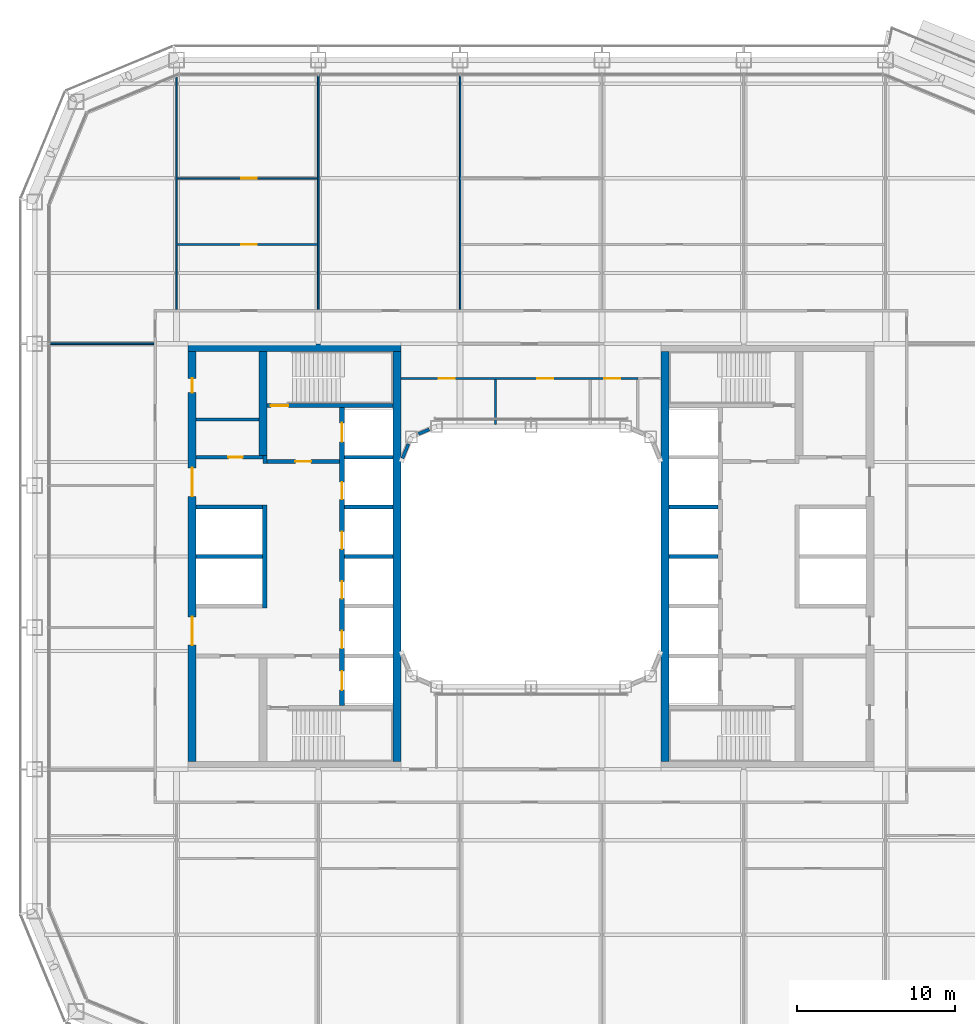
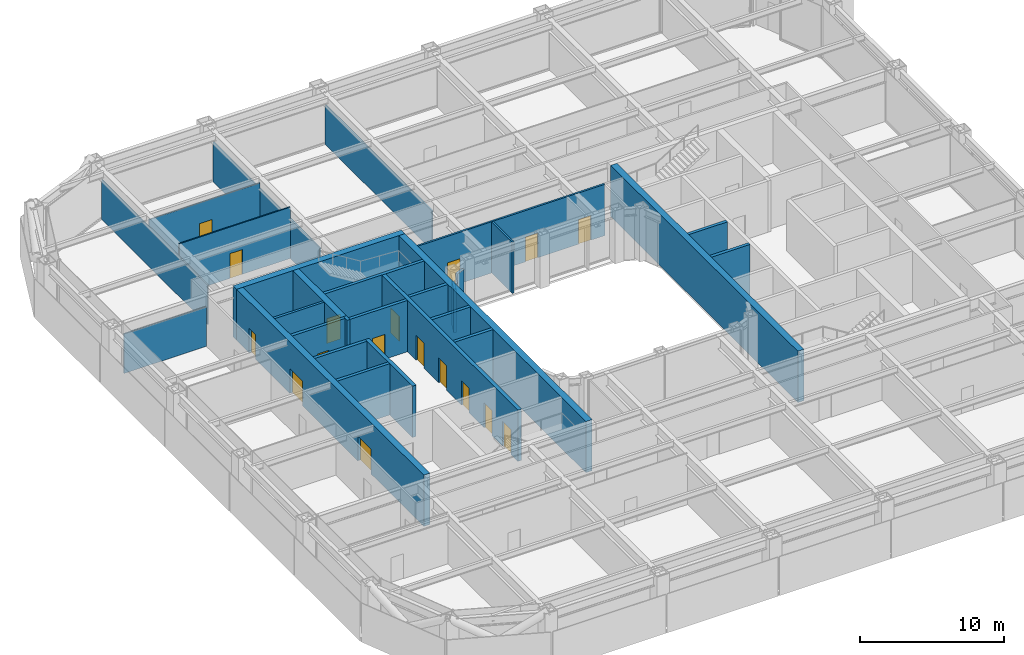
# One storey, part 14 of 30: 29 walls, 17 doors, 17 openings.
"""IFC4 building model written with IfcOpenShell, lengths in metres."""

from ifc_helpers import new_model, si_unit, direction, frame, frame_2d, origin, place, context, subcontext, project, spatial, rectangle, extrude, material, layer, layer_set, type_object, element, fill, save


model = new_model("IFC4")

# Units and contexts
model_context = context("Model", 3, precision=1e-05, world=origin(), true_north=direction((0.0, 1.0)))
body_context = subcontext(model_context, "Body", "Model", "MODEL_VIEW")
ifc_project = project(units=[si_unit("LENGTHUNIT", "METRE"), si_unit("AREAUNIT", "SQUARE_METRE"), si_unit("VOLUMEUNIT", "CUBIC_METRE"), si_unit("PLANEANGLEUNIT", "RADIAN"), si_unit("MASSUNIT", "GRAM", prefix="KILO")], contexts=[model_context])

# Site, building, storey
site_placement = place(None, origin())
site = spatial("IfcSite", under=ifc_project, at=site_placement, CompositionType="ELEMENT")
building_placement = place(site_placement, origin())
building = spatial("IfcBuilding", under=site, at=building_placement, Name="Siwar Civic Tower", CompositionType="ELEMENT")
storey_placement = place(building_placement, frame((0.0, 0.0, 62.699951171875)))
storey = spatial("IfcBuildingStorey", under=building, at=storey_placement, Name="L13", CompositionType="ELEMENT", Elevation=62.699951171875)

# Wall
ifc_material_1 = material(Name="Gypsum board on steel studs", Category="steel")
ifc_layer_1 = layer(ifc_material_1, 0.199951171875)
ifc_layer_set_1 = layer_set([ifc_layer_1], Name="Gypsum board on steel studs")
wall_type_1 = type_object("IfcWallType", Name="CORE-PARTITION-200", PredefinedType="PARTITIONING", material=ifc_layer_set_1)
wall_1_placement = place(storey_placement, frame((-17.25, 8.699951171875, 0.0), z_axis=(0.0, 0.0, 1.0), x_axis=(-1.0, 0.0, 0.0)))
element("IfcWall", 1, at=wall_1_placement, inside=storey, type_object=wall_type_1, Name="Core partition W", PredefinedType="PARTITIONING", context=body_context, shape_type="SweptSolid", body=[
    extrude(rectangle(XDim=4.0, YDim=0.199951171875, at=frame_2d((2.0, 0.0))), origin(), (0.0, 0.0, 1.0), 4.35009765625),
])

# Wall, opening, door
ifc_material_2 = material(Name="Concrete C60/75", Category="concrete")
ifc_layer_2 = layer(ifc_material_2, 0.25)
ifc_layer_set_2 = layer_set([ifc_layer_2], Name="Concrete C60/75")
wall_type_2 = type_object("IfcWallType", Name="CORE-WALL-RC250", PredefinedType="SHEAR", material=ifc_layer_set_2)
wall_2_placement = place(storey_placement, frame((-12.14990234375, 6.02490234375, 0.0), z_axis=(0.0, 0.0, 1.0), x_axis=(-1.0, 0.0, 0.0)))
wall_2 = element("IfcWall", 2, at=wall_2_placement, inside=storey, type_object=wall_type_2, Name="Core wall W", PredefinedType="SHEAR", context=body_context, shape_type="SweptSolid", body=[
    extrude(rectangle(XDim=4.60009765625, YDim=0.25, at=frame_2d((2.300048828125, 0.0))), origin(), (0.0, 0.0, 1.0), 4.35009765625),
])
opening_1_placement = place(wall_2_placement, frame((1.800048828125, 0.0, 0.0)))
opening_1 = element("IfcOpeningElement", 3, at=opening_1_placement, cuts=wall_2, Name="Opening L13-CW01", PredefinedType="OPENING", context=body_context, shape_type="SweptSolid", body=[
    extrude(rectangle(XDim=1.0, YDim=2.10009765625, at=frame_2d((0.5, 1.050048828125))), frame((0.0, 0.135009765625, 0.0), z_axis=(0.0, -1.0, 0.0), x_axis=(1.0, 0.0, 0.0)), (0.0, 0.0, 1.0), 0.27001953125),
])
ifc_material_3 = material(Name="Steel door leaf", Category="steel")
door_type_1 = type_object("IfcDoorType", Name="CORE-DOOR-FD30S", OperationType="SINGLE_SWING_LEFT", PredefinedType="DOOR", material=ifc_material_3)
door_1_placement = place(opening_1_placement, origin())
door_1 = element("IfcDoor", 4, at=door_1_placement, inside=storey, type_object=door_type_1, Name="Firefighting lobby door L13-CW01", OperationType="SINGLE_SWING_LEFT", OverallHeight=2.10009765625, OverallWidth=1.0, PredefinedType="DOOR", context=body_context, shape_type="SweptSolid", body=[
    extrude(rectangle(XDim=1.0, YDim=2.10009765625, at=frame_2d((0.5, 1.050048828125))), frame((0.0, 0.02490234375, 0.0), z_axis=(0.0, -1.0, 0.0), x_axis=(1.0, 0.0, 0.0)), (0.0, 0.0, 1.0), 0.050048828125),
])
fill(opening_1, door_1)

# Wall
wall_3_placement = place(storey_placement, frame((-16.875, 5.89990234375, 0.0), z_axis=(0.0, 0.0, 1.0), x_axis=(0.0, 1.0, 0.0)))
element("IfcWall", 5, at=wall_3_placement, inside=storey, type_object=wall_type_2, Name="Core wall W", PredefinedType="SHEAR", context=body_context, shape_type="SweptSolid", body=[
    extrude(rectangle(XDim=0.525146484375, YDim=0.25, at=frame_2d((0.2626953125, 0.0))), origin(), (0.0, 0.0, 1.0), 4.35009765625),
])

# Wall, opening, door
wall_4_placement = place(storey_placement, frame((-17.0, 6.300048828125, 0.0), z_axis=(0.0, 0.0, 1.0), x_axis=(-1.0, 0.0, 0.0)))
wall_4 = element("IfcWall", 6, at=wall_4_placement, inside=storey, type_object=wall_type_2, Name="Core wall W", PredefinedType="SHEAR", context=body_context, shape_type="SweptSolid", body=[
    extrude(rectangle(XDim=4.25, YDim=0.25, at=frame_2d((2.125, 0.0))), origin(), (0.0, 0.0, 1.0), 4.35009765625),
])
opening_2_placement = place(wall_4_placement, frame((1.300048828125, 0.0, 0.0)))
opening_2 = element("IfcOpeningElement", 7, at=opening_2_placement, cuts=wall_4, Name="Opening L13-CW13", PredefinedType="OPENING", context=body_context, shape_type="SweptSolid", body=[
    extrude(rectangle(XDim=0.89990234375, YDim=2.10009765625, at=frame_2d((0.449951171875, 1.050048828125))), frame((0.0, 0.135009765625, 0.0), z_axis=(0.0, -1.0, 0.0), x_axis=(1.0, 0.0, 0.0)), (0.0, 0.0, 1.0), 0.27001953125),
])
ifc_material_4 = material(Name="Steel door leaf", Category="steel")
door_type_2 = type_object("IfcDoorType", Name="CORE-DOOR-ROOM", OperationType="SINGLE_SWING_LEFT", PredefinedType="DOOR", material=ifc_material_4)
door_2_placement = place(opening_2_placement, origin())
door_2 = element("IfcDoor", 8, at=door_2_placement, inside=storey, type_object=door_type_2, Name="Core room door L13-CW13", OperationType="SINGLE_SWING_LEFT", OverallHeight=2.10009765625, OverallWidth=0.89990234375, PredefinedType="DOOR", context=body_context, shape_type="SweptSolid", body=[
    extrude(rectangle(XDim=0.89990234375, YDim=2.10009765625, at=frame_2d((0.449951171875, 1.050048828125))), frame((0.0, 0.02490234375, 0.0), z_axis=(0.0, -1.0, 0.0), x_axis=(1.0, 0.0, 0.0)), (0.0, 0.0, 1.0), 0.050048828125),
])
fill(opening_2, door_2)

# Walls
for number, where, z_axis, x_axis, name in (
    (9, (-17.050048828125, 0.0, 0.0), (0.0, 0.0, 1.0), (-1.0, 0.0, 0.0), "Core wall W"),
    (10, (-17.050048828125, 3.14990234375, 0.0), (0.0, 0.0, 1.0), (-1.0, 0.0, 0.0), "Core wall W"),
):
    element("IfcWall", number, at=place(storey_placement, frame(where, z_axis=z_axis, x_axis=x_axis)), inside=storey, type_object=wall_type_2, Name=name, PredefinedType="SHEAR", context=body_context, shape_type="SweptSolid", body=[
        extrude(rectangle(XDim=4.199951171875, YDim=0.25, at=frame_2d((2.10009765625, 0.0))), origin(), (0.0, 0.0, 1.0), 4.35009765625),
    ])
for number, where, z_axis, x_axis, name in (
    (11, (-8.75, 0.0, 0.0), (0.0, 0.0, 1.0), (-1.0, 0.0, 0.0), "Core wall W"),
    (12, (-8.75, 3.14990234375, 0.0), (0.0, 0.0, 1.0), (-1.0, 0.0, 0.0), "Core wall W"),
    (13, (-8.75, 6.300048828125, 0.0), (0.0, 0.0, 1.0), (-1.0, 0.0, 0.0), "Core wall W"),
):
    element("IfcWall", number, at=place(storey_placement, frame(where, z_axis=z_axis, x_axis=x_axis)), inside=storey, type_object=wall_type_2, Name=name, PredefinedType="SHEAR", context=body_context, shape_type="SweptSolid", body=[
        extrude(rectangle(XDim=3.10009765625, YDim=0.25, at=frame_2d((1.550048828125, 0.0))), origin(), (0.0, 0.0, 1.0), 4.35009765625),
    ])

# Wall, opening, door
wall_5_placement = place(storey_placement, frame((-8.75, 9.574951171875, 0.0), z_axis=(0.0, 0.0, 1.0), x_axis=(-1.0, 0.0, 0.0)))
wall_5 = element("IfcWall", 14, at=wall_5_placement, inside=storey, type_object=wall_type_2, Name="Core wall W", PredefinedType="SHEAR", context=body_context, shape_type="SweptSolid", body=[
    extrude(rectangle(XDim=8.0, YDim=0.25, at=frame_2d((4.0, 0.0))), origin(), (0.0, 0.0, 1.0), 4.35009765625),
])
opening_3_placement = place(wall_5_placement, frame((6.64990234375, 0.0, 0.0)))
opening_3 = element("IfcOpeningElement", 15, at=opening_3_placement, cuts=wall_5, Name="Opening L13-CW03", PredefinedType="OPENING", context=body_context, shape_type="SweptSolid", body=[
    extrude(rectangle(XDim=1.10009765625, YDim=2.10009765625, at=frame_2d((0.550048828125, 1.050048828125))), frame((0.0, 0.135009765625, 0.0), z_axis=(0.0, -1.0, 0.0), x_axis=(1.0, 0.0, 0.0)), (0.0, 0.0, 1.0), 0.27001953125),
])
ifc_material_5 = material(Name="Steel door leaf", Category="steel")
door_type_3 = type_object("IfcDoorType", Name="CORE-DOOR-FD60S", OperationType="SINGLE_SWING_LEFT", PredefinedType="DOOR", material=ifc_material_5)
door_3_placement = place(opening_3_placement, origin())
door_3 = element("IfcDoor", 16, at=door_3_placement, inside=storey, type_object=door_type_3, Name="Stair door L13-CW03", OperationType="SINGLE_SWING_RIGHT", OverallHeight=2.10009765625, OverallWidth=1.10009765625, PredefinedType="DOOR", context=body_context, shape_type="SweptSolid", body=[
    extrude(rectangle(XDim=1.10009765625, YDim=2.10009765625, at=frame_2d((0.550048828125, 1.050048828125))), frame((0.0, 0.02490234375, 0.0), z_axis=(0.0, -1.0, 0.0), x_axis=(1.0, 0.0, 0.0)), (0.0, 0.0, 1.0), 0.050048828125),
])
fill(opening_3, door_3)

# Walls
for number, where, z_axis, x_axis, name in (
    (17, (8.75, 0.0, 0.0), (0.0, 0.0, 1.0), (1.0, 0.0, 0.0), "Core wall E"),
    (18, (8.75, 3.14990234375, 0.0), (0.0, 0.0, 1.0), (1.0, 0.0, 0.0), "Core wall E"),
):
    element("IfcWall", number, at=place(storey_placement, frame(where, z_axis=z_axis, x_axis=x_axis)), inside=storey, type_object=wall_type_2, Name=name, PredefinedType="SHEAR", context=body_context, shape_type="SweptSolid", body=[
        extrude(rectangle(XDim=3.10009765625, YDim=0.25, at=frame_2d((1.550048828125, 0.0))), origin(), (0.0, 0.0, 1.0), 4.35009765625),
    ])

# Wall, openings, doors
ifc_material_6 = material(Name="Concrete C60/75", Category="concrete")
ifc_layer_3 = layer(ifc_material_6, 0.300048828125)
ifc_layer_set_3 = layer_set([ifc_layer_3], Name="Concrete C60/75")
wall_type_3 = type_object("IfcWallType", Name="CORE-WALL-RC300", PredefinedType="SHEAR", material=ifc_layer_set_3)
wall_6_placement = place(storey_placement, frame((-12.0, -9.449951171875, 0.0), z_axis=(0.0, 0.0, 1.0), x_axis=(0.0, 1.0, 0.0)))
wall_6 = element("IfcWall", 19, at=wall_6_placement, inside=storey, type_object=wall_type_3, Name="Core wall W", PredefinedType="SHEAR", context=body_context, shape_type="SweptSolid", body=[
    extrude(rectangle(XDim=18.89990234375, YDim=0.300048828125, at=frame_2d((9.449951171875, 0.0))), origin(), (0.0, 0.0, 1.0), 4.35009765625),
])
opening_4_placement = place(wall_6_placement, frame((3.625, 0.0, 0.0)))
opening_4 = element("IfcOpeningElement", 20, at=opening_4_placement, cuts=wall_6, Name="Opening L13-CW07", PredefinedType="OPENING", context=body_context, shape_type="SweptSolid", body=[
    extrude(rectangle(XDim=1.10009765625, YDim=2.10009765625, at=frame_2d((0.550048828125, 1.050048828125))), frame((0.0, 0.16015625, 0.0), z_axis=(0.0, -1.0, 0.0), x_axis=(1.0, 0.0, 0.0)), (0.0, 0.0, 1.0), 0.320068359375),
])
opening_5_placement = place(wall_6_placement, frame((6.77490234375, 0.0, 0.0)))
opening_5 = element("IfcOpeningElement", 21, at=opening_5_placement, cuts=wall_6, Name="Opening L13-CW08", PredefinedType="OPENING", context=body_context, shape_type="SweptSolid", body=[
    extrude(rectangle(XDim=1.10009765625, YDim=2.10009765625, at=frame_2d((0.550048828125, 1.050048828125))), frame((0.0, 0.16015625, 0.0), z_axis=(0.0, -1.0, 0.0), x_axis=(1.0, 0.0, 0.0)), (0.0, 0.0, 1.0), 0.320068359375),
])
opening_6_placement = place(wall_6_placement, frame((9.925048828125, 0.0, 0.0)))
opening_6 = element("IfcOpeningElement", 22, at=opening_6_placement, cuts=wall_6, Name="Opening L13-CW09", PredefinedType="OPENING", context=body_context, shape_type="SweptSolid", body=[
    extrude(rectangle(XDim=1.10009765625, YDim=2.10009765625, at=frame_2d((0.550048828125, 1.050048828125))), frame((0.0, 0.16015625, 0.0), z_axis=(0.0, -1.0, 0.0), x_axis=(1.0, 0.0, 0.0)), (0.0, 0.0, 1.0), 0.320068359375),
])
opening_7_placement = place(wall_6_placement, frame((13.074951171875, 0.0, 0.0)))
opening_7 = element("IfcOpeningElement", 23, at=opening_7_placement, cuts=wall_6, Name="Opening L13-CW10", PredefinedType="OPENING", context=body_context, shape_type="SweptSolid", body=[
    extrude(rectangle(XDim=1.10009765625, YDim=2.10009765625, at=frame_2d((0.550048828125, 1.050048828125))), frame((0.0, 0.16015625, 0.0), z_axis=(0.0, -1.0, 0.0), x_axis=(1.0, 0.0, 0.0)), (0.0, 0.0, 1.0), 0.320068359375),
])
opening_8_placement = place(wall_6_placement, frame((16.72509765625, 0.0, 0.0)))
opening_8 = element("IfcOpeningElement", 24, at=opening_8_placement, cuts=wall_6, Name="Opening L13-CW11", PredefinedType="OPENING", context=body_context, shape_type="SweptSolid", body=[
    extrude(rectangle(XDim=1.199951171875, YDim=2.10009765625, at=frame_2d((0.60009765625, 1.050048828125))), frame((0.0, 0.16015625, 0.0), z_axis=(0.0, -1.0, 0.0), x_axis=(1.0, 0.0, 0.0)), (0.0, 0.0, 1.0), 0.320068359375),
])
opening_9_placement = place(wall_6_placement, frame((0.97509765625, 0.0, 0.0)))
opening_9 = element("IfcOpeningElement", 25, at=opening_9_placement, cuts=wall_6, Name="Opening L13-CW12", PredefinedType="OPENING", context=body_context, shape_type="SweptSolid", body=[
    extrude(rectangle(XDim=1.199951171875, YDim=2.10009765625, at=frame_2d((0.60009765625, 1.050048828125))), frame((0.0, 0.16015625, 0.0), z_axis=(0.0, -1.0, 0.0), x_axis=(1.0, 0.0, 0.0)), (0.0, 0.0, 1.0), 0.320068359375),
])
ifc_material_7 = material(Name="Steel door leaf", Category="steel")
door_type_4 = type_object("IfcDoorType", Name="CORE-DOOR-LD", OperationType="DOUBLE_DOOR_SLIDING", PredefinedType="DOOR", material=ifc_material_7)
door_4_placement = place(opening_4_placement, origin())
door_4 = element("IfcDoor", 26, at=door_4_placement, inside=storey, type_object=door_type_4, Name="Landing door LR1 L13-CW07", OperationType="DOUBLE_DOOR_SLIDING", OverallHeight=2.10009765625, OverallWidth=1.10009765625, PredefinedType="DOOR", context=body_context, shape_type="SweptSolid", body=[
    extrude(rectangle(XDim=1.10009765625, YDim=2.10009765625, at=frame_2d((0.550048828125, 1.050048828125))), frame((0.0, 0.02490234375, 0.0), z_axis=(0.0, -1.0, 0.0), x_axis=(1.0, 0.0, 0.0)), (0.0, 0.0, 1.0), 0.050048828125),
])
fill(opening_4, door_4)
door_5_placement = place(opening_5_placement, origin())
door_5 = element("IfcDoor", 27, at=door_5_placement, inside=storey, type_object=door_type_4, Name="Landing door LR2 L13-CW08", OperationType="DOUBLE_DOOR_SLIDING", OverallHeight=2.10009765625, OverallWidth=1.10009765625, PredefinedType="DOOR", context=body_context, shape_type="SweptSolid", body=[
    extrude(rectangle(XDim=1.10009765625, YDim=2.10009765625, at=frame_2d((0.550048828125, 1.050048828125))), frame((0.0, 0.02490234375, 0.0), z_axis=(0.0, -1.0, 0.0), x_axis=(1.0, 0.0, 0.0)), (0.0, 0.0, 1.0), 0.050048828125),
])
fill(opening_5, door_5)
door_6_placement = place(opening_6_placement, origin())
door_6 = element("IfcDoor", 28, at=door_6_placement, inside=storey, type_object=door_type_4, Name="Landing door LR3 L13-CW09", OperationType="DOUBLE_DOOR_SLIDING", OverallHeight=2.10009765625, OverallWidth=1.10009765625, PredefinedType="DOOR", context=body_context, shape_type="SweptSolid", body=[
    extrude(rectangle(XDim=1.10009765625, YDim=2.10009765625, at=frame_2d((0.550048828125, 1.050048828125))), frame((0.0, 0.02490234375, 0.0), z_axis=(0.0, -1.0, 0.0), x_axis=(1.0, 0.0, 0.0)), (0.0, 0.0, 1.0), 0.050048828125),
])
fill(opening_6, door_6)
door_7_placement = place(opening_7_placement, origin())
door_7 = element("IfcDoor", 29, at=door_7_placement, inside=storey, type_object=door_type_4, Name="Landing door LR4 L13-CW10", OperationType="DOUBLE_DOOR_SLIDING", OverallHeight=2.10009765625, OverallWidth=1.10009765625, PredefinedType="DOOR", context=body_context, shape_type="SweptSolid", body=[
    extrude(rectangle(XDim=1.10009765625, YDim=2.10009765625, at=frame_2d((0.550048828125, 1.050048828125))), frame((0.0, 0.02490234375, 0.0), z_axis=(0.0, -1.0, 0.0), x_axis=(1.0, 0.0, 0.0)), (0.0, 0.0, 1.0), 0.050048828125),
])
fill(opening_7, door_7)
ifc_material_8 = material(Name="Steel door leaf", Category="steel")
door_type_5 = type_object("IfcDoorType", Name="CORE-DOOR-LDW", OperationType="DOUBLE_DOOR_SLIDING", PredefinedType="DOOR", material=ifc_material_8)
door_8_placement = place(opening_8_placement, origin())
door_8 = element("IfcDoor", 30, at=door_8_placement, inside=storey, type_object=door_type_5, Name="Landing door FF1 L13-CW11", OperationType="DOUBLE_DOOR_SLIDING", OverallHeight=2.10009765625, OverallWidth=1.199951171875, PredefinedType="DOOR", context=body_context, shape_type="SweptSolid", body=[
    extrude(rectangle(XDim=1.199951171875, YDim=2.10009765625, at=frame_2d((0.60009765625, 1.050048828125))), frame((0.0, 0.02490234375, 0.0), z_axis=(0.0, -1.0, 0.0), x_axis=(1.0, 0.0, 0.0)), (0.0, 0.0, 1.0), 0.050048828125),
])
fill(opening_8, door_8)
door_9_placement = place(opening_9_placement, origin())
door_9 = element("IfcDoor", 31, at=door_9_placement, inside=storey, type_object=door_type_5, Name="Landing door SV1 L13-CW12", OperationType="DOUBLE_DOOR_SLIDING", OverallHeight=2.10009765625, OverallWidth=1.199951171875, PredefinedType="DOOR", context=body_context, shape_type="SweptSolid", body=[
    extrude(rectangle(XDim=1.199951171875, YDim=2.10009765625, at=frame_2d((0.60009765625, 1.050048828125))), frame((0.0, 0.02490234375, 0.0), z_axis=(0.0, -1.0, 0.0), x_axis=(1.0, 0.0, 0.0)), (0.0, 0.0, 1.0), 0.050048828125),
])
fill(opening_9, door_9)

# Wall
wall_7_placement = place(storey_placement, frame((-16.89990234375, -3.27490234375, 0.0), z_axis=(0.0, 0.0, 1.0), x_axis=(0.0, 1.0, 0.0)))
element("IfcWall", 32, at=wall_7_placement, inside=storey, type_object=wall_type_3, Name="Core wall W", PredefinedType="SHEAR", context=body_context, shape_type="SweptSolid", body=[
    extrude(rectangle(XDim=6.5498046875, YDim=0.300048828125, at=frame_2d((3.27490234375, 0.0))), origin(), (0.0, 0.0, 1.0), 4.35009765625),
])

# Wall, openings, doors
ifc_material_9 = material(Name="Concrete C60/75", Category="concrete")
ifc_layer_4 = layer(ifc_material_9, 0.5)
ifc_layer_set_4 = layer_set([ifc_layer_4], Name="Concrete C60/75")
wall_type_4 = type_object("IfcWallType", Name="CORE-WALL-RC500", PredefinedType="SHEAR", material=ifc_layer_set_4)
wall_8_placement = place(storey_placement, frame((-21.5, -13.0, 0.0), z_axis=(0.0, 0.0, 1.0), x_axis=(0.0, 1.0, 0.0)))
wall_8 = element("IfcWall", 33, at=wall_8_placement, inside=storey, type_object=wall_type_4, Name="Core wall W", PredefinedType="SHEAR", context=body_context, shape_type="SweptSolid", body=[
    extrude(rectangle(XDim=26.0, YDim=0.5, at=frame_2d((13.0, 0.0))), origin(), (0.0, 0.0, 1.0), 4.35009765625),
])
opening_10_placement = place(wall_8_placement, frame((16.824951171875, 0.0, 0.0)))
opening_10 = element("IfcOpeningElement", 34, at=opening_10_placement, cuts=wall_8, Name="Opening L13-CW05", PredefinedType="OPENING", context=body_context, shape_type="SweptSolid", body=[
    extrude(rectangle(XDim=1.800048828125, YDim=2.10009765625, at=frame_2d((0.89990234375, 1.050048828125))), frame((0.0, 0.260009765625, 0.0), z_axis=(0.0, -1.0, 0.0), x_axis=(1.0, 0.0, 0.0)), (0.0, 0.0, 1.0), 0.52001953125),
])
opening_11_placement = place(wall_8_placement, frame((7.375, 0.0, 0.0)))
opening_11 = element("IfcOpeningElement", 35, at=opening_11_placement, cuts=wall_8, Name="Opening L13-CW06", PredefinedType="OPENING", context=body_context, shape_type="SweptSolid", body=[
    extrude(rectangle(XDim=1.800048828125, YDim=2.10009765625, at=frame_2d((0.89990234375, 1.050048828125))), frame((0.0, 0.260009765625, 0.0), z_axis=(0.0, -1.0, 0.0), x_axis=(1.0, 0.0, 0.0)), (0.0, 0.0, 1.0), 0.52001953125),
])
opening_12_placement = place(wall_8_placement, frame((23.39990234375, 0.0, 0.0)))
opening_12 = element("IfcOpeningElement", 36, at=opening_12_placement, cuts=wall_8, Name="Opening L13-CW14", PredefinedType="OPENING", context=body_context, shape_type="SweptSolid", body=[
    extrude(rectangle(XDim=0.89990234375, YDim=2.10009765625, at=frame_2d((0.449951171875, 1.050048828125))), frame((0.0, 0.260009765625, 0.0), z_axis=(0.0, -1.0, 0.0), x_axis=(1.0, 0.0, 0.0)), (0.0, 0.0, 1.0), 0.52001953125),
])
ifc_material_10 = material(Name="Steel door leaf", Category="steel")
door_type_6 = type_object("IfcDoorType", Name="CORE-DOOR-PORT", OperationType="DOUBLE_DOOR_DOUBLE_SWING", PredefinedType="DOOR", material=ifc_material_10)
door_10_placement = place(opening_10_placement, origin())
door_10 = element("IfcDoor", 37, at=door_10_placement, inside=storey, type_object=door_type_6, Name="Core entrance door L13-CW05", OperationType="DOUBLE_DOOR_DOUBLE_SWING", OverallHeight=2.10009765625, OverallWidth=1.800048828125, PredefinedType="DOOR", context=body_context, shape_type="SweptSolid", body=[
    extrude(rectangle(XDim=1.800048828125, YDim=2.10009765625, at=frame_2d((0.89990234375, 1.050048828125))), frame((0.0, 0.02490234375, 0.0), z_axis=(0.0, -1.0, 0.0), x_axis=(1.0, 0.0, 0.0)), (0.0, 0.0, 1.0), 0.050048828125),
])
fill(opening_10, door_10)
door_11_placement = place(opening_11_placement, origin())
door_11 = element("IfcDoor", 38, at=door_11_placement, inside=storey, type_object=door_type_6, Name="Core entrance door L13-CW06", OperationType="DOUBLE_DOOR_DOUBLE_SWING", OverallHeight=2.10009765625, OverallWidth=1.800048828125, PredefinedType="DOOR", context=body_context, shape_type="SweptSolid", body=[
    extrude(rectangle(XDim=1.800048828125, YDim=2.10009765625, at=frame_2d((0.89990234375, 1.050048828125))), frame((0.0, 0.02490234375, 0.0), z_axis=(0.0, -1.0, 0.0), x_axis=(1.0, 0.0, 0.0)), (0.0, 0.0, 1.0), 0.050048828125),
])
fill(opening_11, door_11)
door_12_placement = place(opening_12_placement, origin())
door_12 = element("IfcDoor", 39, at=door_12_placement, inside=storey, type_object=door_type_2, Name="Core room door L13-CW14", OperationType="SINGLE_SWING_LEFT", OverallHeight=2.10009765625, OverallWidth=0.89990234375, PredefinedType="DOOR", context=body_context, shape_type="SweptSolid", body=[
    extrude(rectangle(XDim=0.89990234375, YDim=2.10009765625, at=frame_2d((0.449951171875, 1.050048828125))), frame((0.0, 0.02490234375, 0.0), z_axis=(0.0, -1.0, 0.0), x_axis=(1.0, 0.0, 0.0)), (0.0, 0.0, 1.0), 0.050048828125),
])
fill(opening_12, door_12)

# Walls
wall_9_placement = place(storey_placement, frame((-17.0, 6.425048828125, 0.0), z_axis=(0.0, 0.0, 1.0), x_axis=(0.0, 1.0, 0.0)))
element("IfcWall", 40, at=wall_9_placement, inside=storey, type_object=wall_type_4, Name="Core wall W", PredefinedType="SHEAR", context=body_context, shape_type="SweptSolid", body=[
    extrude(rectangle(XDim=6.574951171875, YDim=0.5, at=frame_2d((3.28759765625, 0.0))), origin(), (0.0, 0.0, 1.0), 4.35009765625),
])
wall_10_placement = place(storey_placement, frame((-8.25, 13.25, 0.0), z_axis=(0.0, 0.0, 1.0), x_axis=(-1.0, 0.0, 0.0)))
element("IfcWall", 41, at=wall_10_placement, inside=storey, type_object=wall_type_4, Name="Core wall W", PredefinedType="SHEAR", context=body_context, shape_type="SweptSolid", body=[
    extrude(rectangle(XDim=13.5, YDim=0.5, at=frame_2d((6.75, 0.0))), origin(), (0.0, 0.0, 1.0), 4.35009765625),
])
ifc_material_11 = material(Name="Concrete C60/75", Category="concrete")
ifc_layer_5 = layer(ifc_material_11, 0.5)
ifc_layer_set_5 = layer_set([ifc_layer_5], Name="Concrete C60/75")
wall_type_5 = type_object("IfcWallType", Name="CORE-WALL-RC500-EXT", PredefinedType="SHEAR", material=ifc_layer_set_5)
for number, where, z_axis, x_axis, name in (
    (42, (-8.5, -13.0, 0.0), (0.0, 0.0, 1.0), (0.0, 1.0, 0.0), "Core wall W"),
    (43, (8.5, -13.0, 0.0), (0.0, 0.0, 1.0), (0.0, 1.0, 0.0), "Core wall E"),
):
    element("IfcWall", number, at=place(storey_placement, frame(where, z_axis=z_axis, x_axis=x_axis)), inside=storey, type_object=wall_type_5, Name=name, PredefinedType="SHEAR", context=body_context, shape_type="SweptSolid", body=[
        extrude(rectangle(XDim=26.0, YDim=0.5, at=frame_2d((13.0, 0.0))), origin(), (0.0, 0.0, 1.0), 4.35009765625),
    ])

# Wall, openings, doors
ifc_material_12 = material(Name="Gypsum board on steel studs", Category="steel")
ifc_layer_6 = layer(ifc_material_12, 0.14990234375)
ifc_layer_set_6 = layer_set([ifc_layer_6], Name="Gypsum board on steel studs")
wall_type_6 = type_object("IfcWallType", Name="CORRIDOR PARTITION 150 EI 30", PredefinedType="PARTITIONING", material=ifc_layer_set_6)
wall_11_placement = place(storey_placement, frame((-8.25, 11.300048828125, 0.0), z_axis=(0.0, 0.0, 1.0), x_axis=(1.0, 0.0, 0.0)))
wall_11 = element("IfcWall", 44, at=wall_11_placement, inside=storey, type_object=wall_type_6, Name="L13/wall/P14", PredefinedType="PARTITIONING", context=body_context, shape_type="SweptSolid", body=[
    extrude(rectangle(XDim=15.030029296875, YDim=0.14990234375, at=frame_2d((7.51513671875, 0.0))), origin(), (0.0, 0.0, 1.0), 4.35009765625),
])
opening_13_placement = place(wall_11_placement, frame((2.39990234375, 0.0, 0.0)))
opening_13 = element("IfcOpeningElement", 45, at=opening_13_placement, cuts=wall_11, Name="Opening D3", PredefinedType="OPENING", context=body_context, shape_type="SweptSolid", body=[
    extrude(rectangle(XDim=1.0, YDim=2.10009765625, at=frame_2d((0.5, 1.050048828125))), frame((0.0, 0.0849609375, 0.0), z_axis=(0.0, -1.0, 0.0), x_axis=(1.0, 0.0, 0.0)), (0.0, 0.0, 1.0), 0.169921875),
])
opening_14_placement = place(wall_11_placement, frame((8.64990234375, 0.0, 0.0)))
opening_14 = element("IfcOpeningElement", 46, at=opening_14_placement, cuts=wall_11, Name="Opening D3", PredefinedType="OPENING", context=body_context, shape_type="SweptSolid", body=[
    extrude(rectangle(XDim=1.0, YDim=2.10009765625, at=frame_2d((0.5, 1.050048828125))), frame((0.0, 0.0849609375, 0.0), z_axis=(0.0, -1.0, 0.0), x_axis=(1.0, 0.0, 0.0)), (0.0, 0.0, 1.0), 0.169921875),
])
opening_15_placement = place(wall_11_placement, frame((12.89990234375, 0.0, 0.0)))
opening_15 = element("IfcOpeningElement", 47, at=opening_15_placement, cuts=wall_11, Name="Opening D3", PredefinedType="OPENING", context=body_context, shape_type="SweptSolid", body=[
    extrude(rectangle(XDim=1.0, YDim=2.10009765625, at=frame_2d((0.5, 1.050048828125))), frame((0.0, 0.0849609375, 0.0), z_axis=(0.0, -1.0, 0.0), x_axis=(1.0, 0.0, 0.0)), (0.0, 0.0, 1.0), 0.169921875),
])
ifc_material_13 = material(Name="Timber, painted", Category="wood")
door_type_7 = type_object("IfcDoorType", Name="DOOR 1000 X 2100 WC", OperationType="SINGLE_SWING_LEFT", PredefinedType="DOOR", material=ifc_material_13)
door_13_placement = place(opening_13_placement, origin())
door_13 = element("IfcDoor", 48, at=door_13_placement, inside=storey, type_object=door_type_7, Name="L13-D33", OperationType="SINGLE_SWING_LEFT", OverallHeight=2.10009765625, OverallWidth=1.0, PredefinedType="DOOR", context=body_context, shape_type="SweptSolid", body=[
    extrude(rectangle(XDim=1.0, YDim=2.10009765625, at=frame_2d((0.5, 1.050048828125))), frame((0.0, 0.02490234375, 0.0), z_axis=(0.0, -1.0, 0.0), x_axis=(1.0, 0.0, 0.0)), (0.0, 0.0, 1.0), 0.050048828125),
])
fill(opening_13, door_13)
door_14_placement = place(opening_14_placement, origin())
door_14 = element("IfcDoor", 49, at=door_14_placement, inside=storey, type_object=door_type_7, Name="L13-D34", OperationType="SINGLE_SWING_RIGHT", OverallHeight=2.10009765625, OverallWidth=1.0, PredefinedType="DOOR", context=body_context, shape_type="SweptSolid", body=[
    extrude(rectangle(XDim=1.0, YDim=2.10009765625, at=frame_2d((0.5, 1.050048828125))), frame((0.0, 0.02490234375, 0.0), z_axis=(0.0, -1.0, 0.0), x_axis=(1.0, 0.0, 0.0)), (0.0, 0.0, 1.0), 0.050048828125),
])
fill(opening_14, door_14)
door_15_placement = place(opening_15_placement, origin())
door_15 = element("IfcDoor", 50, at=door_15_placement, inside=storey, type_object=door_type_7, Name="L13-D35", OperationType="SINGLE_SWING_LEFT", OverallHeight=2.10009765625, OverallWidth=1.0, PredefinedType="DOOR", context=body_context, shape_type="SweptSolid", body=[
    extrude(rectangle(XDim=1.0, YDim=2.10009765625, at=frame_2d((0.5, 1.050048828125))), frame((0.0, 0.02490234375, 0.0), z_axis=(0.0, -1.0, 0.0), x_axis=(1.0, 0.0, 0.0)), (0.0, 0.0, 1.0), 0.050048828125),
])
fill(opening_15, door_15)

# Walls
wall_12_placement = place(storey_placement, frame((-2.25, 8.3701171875, 0.0), z_axis=(0.0, 0.0, 1.0), x_axis=(0.0, 1.0, 0.0)))
element("IfcWall", 51, at=wall_12_placement, inside=storey, type_object=wall_type_6, Name="L13/wall/P32", PredefinedType="PARTITIONING", context=body_context, shape_type="SweptSolid", body=[
    extrude(rectangle(XDim=2.85498046875, YDim=0.14990234375, at=frame_2d((1.427490234375, 0.0))), origin(), (0.0, 0.0, 1.0), 4.35009765625),
])
ifc_material_14 = material(Name="Aluminium clad insulated panel", Category="aluminium")
ifc_layer_7 = layer(ifc_material_14, 0.199951171875)
ifc_layer_set_7 = layer_set([ifc_layer_7], Name="Aluminium clad insulated panel")
wall_type_7 = type_object("IfcWallType", Name="ENV-WALL-WELL", PredefinedType="STANDARD", material=ifc_layer_set_7)
wall_13_placement = place(storey_placement, frame((-6.45263671875, 8.0625, 0.0), z_axis=(0.0, 0.0, 1.0), x_axis=(-0.923940677943, -0.382535780864, 0.0)))
element("IfcWall", 52, at=wall_13_placement, inside=storey, type_object=wall_type_7, Name="Light well corner wall NW1", PredefinedType="STANDARD", context=body_context, shape_type="SweptSolid", body=[
    extrude(rectangle(XDim=0.7421875, YDim=0.199951171875, at=frame_2d((0.37109375, 0.0))), origin(), (0.0, 0.0, 1.0), 3.72998046875),
])
wall_14_placement = place(storey_placement, frame((-7.778564453125, 7.138427734375, 0.0), z_axis=(0.0, 0.0, 1.0), x_axis=(-0.382549378284, -0.923935048136, 0.0)))
element("IfcWall", 53, at=wall_14_placement, inside=storey, type_object=wall_type_7, Name="Light well corner wall NW2", PredefinedType="STANDARD", context=body_context, shape_type="SweptSolid", body=[
    extrude(rectangle(XDim=0.982177734375, YDim=0.199951171875, at=frame_2d((0.4912109375, 0.0))), origin(), (0.0, 0.0, 1.0), 3.72998046875),
])
ifc_material_15 = material(Name="Gypsum board on steel studs", Category="steel")
ifc_layer_8 = layer(ifc_material_15, 0.10009765625)
ifc_layer_set_8 = layer_set([ifc_layer_8], Name="Gypsum board on steel studs")
wall_type_8 = type_object("IfcWallType", Name="PARTITION 100 GYPSUM", PredefinedType="PARTITIONING", material=ifc_layer_set_8)
wall_15_placement = place(storey_placement, frame((-30.510009765625, 13.5, 0.0), z_axis=(0.0, 0.0, 1.0), x_axis=(1.0, 0.0, 0.0)))
element("IfcWall", 54, at=wall_15_placement, inside=storey, type_object=wall_type_8, Name="L13/wall/P16", PredefinedType="PARTITIONING", context=body_context, shape_type="SweptSolid", body=[
    extrude(rectangle(XDim=6.5849609375, YDim=0.10009765625, at=frame_2d((3.29248046875, 0.0))), origin(), (0.0, 0.0, 1.0), 3.35009765625),
])

# Wall, opening, door
wall_16_placement = place(storey_placement, frame((-22.449951171875, 19.800048828125, 0.0), z_axis=(0.0, 0.0, 1.0), x_axis=(1.0, 0.0, 0.0)))
wall_16 = element("IfcWall", 55, at=wall_16_placement, inside=storey, type_object=wall_type_8, Name="L13/wall/P20", PredefinedType="PARTITIONING", context=body_context, shape_type="SweptSolid", body=[
    extrude(rectangle(XDim=8.89990234375, YDim=0.10009765625, at=frame_2d((4.449951171875, 0.0))), origin(), (0.0, 0.0, 1.0), 4.35009765625),
])
opening_16_placement = place(wall_16_placement, frame((4.050048828125, 0.0, 0.0)))
opening_16 = element("IfcOpeningElement", 56, at=opening_16_placement, cuts=wall_16, Name="Opening D2", PredefinedType="OPENING", context=body_context, shape_type="SweptSolid", body=[
    extrude(rectangle(XDim=1.0, YDim=2.10009765625, at=frame_2d((0.5, 1.050048828125))), frame((0.0, 0.06005859375, 0.0), z_axis=(0.0, -1.0, 0.0), x_axis=(1.0, 0.0, 0.0)), (0.0, 0.0, 1.0), 0.1201171875),
])
ifc_material_16 = material(Name="Timber, painted", Category="wood")
door_type_8 = type_object("IfcDoorType", Name="DOOR 1000 X 2100", OperationType="SINGLE_SWING_LEFT", PredefinedType="DOOR", material=ifc_material_16)
door_16_placement = place(opening_16_placement, origin())
door_16 = element("IfcDoor", 57, at=door_16_placement, inside=storey, type_object=door_type_8, Name="L13-D02", OperationType="SINGLE_SWING_RIGHT", OverallHeight=2.10009765625, OverallWidth=1.0, PredefinedType="DOOR", context=body_context, shape_type="SweptSolid", body=[
    extrude(rectangle(XDim=1.0, YDim=2.10009765625, at=frame_2d((0.5, 1.050048828125))), frame((0.0, 0.02490234375, 0.0), z_axis=(0.0, -1.0, 0.0), x_axis=(1.0, 0.0, 0.0)), (0.0, 0.0, 1.0), 0.050048828125),
])
fill(opening_16, door_16)

wall_17_placement = place(storey_placement, frame((-22.449951171875, 24.0, 0.0), z_axis=(0.0, 0.0, 1.0), x_axis=(1.0, 0.0, 0.0)))
wall_17 = element("IfcWall", 58, at=wall_17_placement, inside=storey, type_object=wall_type_8, Name="L13/wall/P22", PredefinedType="PARTITIONING", context=body_context, shape_type="SweptSolid", body=[
    extrude(rectangle(XDim=8.89990234375, YDim=0.10009765625, at=frame_2d((4.449951171875, 0.0))), origin(), (0.0, 0.0, 1.0), 3.85009765625),
])
opening_17_placement = place(wall_17_placement, frame((4.050048828125, 0.0, 0.0)))
opening_17 = element("IfcOpeningElement", 59, at=opening_17_placement, cuts=wall_17, Name="Opening D2", PredefinedType="OPENING", context=body_context, shape_type="SweptSolid", body=[
    extrude(rectangle(XDim=1.0, YDim=2.10009765625, at=frame_2d((0.5, 1.050048828125))), frame((0.0, 0.06005859375, 0.0), z_axis=(0.0, -1.0, 0.0), x_axis=(1.0, 0.0, 0.0)), (0.0, 0.0, 1.0), 0.1201171875),
])
door_17_placement = place(opening_17_placement, origin())
door_17 = element("IfcDoor", 60, at=door_17_placement, inside=storey, type_object=door_type_8, Name="L13-D03", OperationType="SINGLE_SWING_LEFT", OverallHeight=2.10009765625, OverallWidth=1.0, PredefinedType="DOOR", context=body_context, shape_type="SweptSolid", body=[
    extrude(rectangle(XDim=1.0, YDim=2.10009765625, at=frame_2d((0.5, 1.050048828125))), frame((0.0, 0.02490234375, 0.0), z_axis=(0.0, -1.0, 0.0), x_axis=(1.0, 0.0, 0.0)), (0.0, 0.0, 1.0), 0.050048828125),
])
fill(opening_17, door_17)

# Walls
wall_18_placement = place(storey_placement, frame((-22.5, 15.675048828125, 0.0), z_axis=(0.0, 0.0, 1.0), x_axis=(0.0, 1.0, 0.0)))
element("IfcWall", 61, at=wall_18_placement, inside=storey, type_object=wall_type_8, Name="L13/wall/P26", PredefinedType="PARTITIONING", context=body_context, shape_type="SweptSolid", body=[
    extrude(rectangle(XDim=14.7529296875, YDim=0.10009765625, at=frame_2d((7.37646484375, 0.0))), origin(), (0.0, 0.0, 1.0), 3.35009765625),
])
for number, where, z_axis, x_axis, name in (
    (62, (-13.5, 15.675048828125, 0.0), (0.0, 0.0, 1.0), (0.0, 1.0, 0.0), "L13/wall/P28"),
    (63, (-4.5, 15.675048828125, 0.0), (0.0, 0.0, 1.0), (0.0, 1.0, 0.0), "L13/wall/P31"),
):
    element("IfcWall", number, at=place(storey_placement, frame(where, z_axis=z_axis, x_axis=x_axis)), inside=storey, type_object=wall_type_8, Name=name, PredefinedType="PARTITIONING", context=body_context, shape_type="SweptSolid", body=[
        extrude(rectangle(XDim=14.8349609375, YDim=0.10009765625, at=frame_2d((7.41748046875, 0.0))), origin(), (0.0, 0.0, 1.0), 3.35009765625),
    ])

save(model, "model.ifc")
